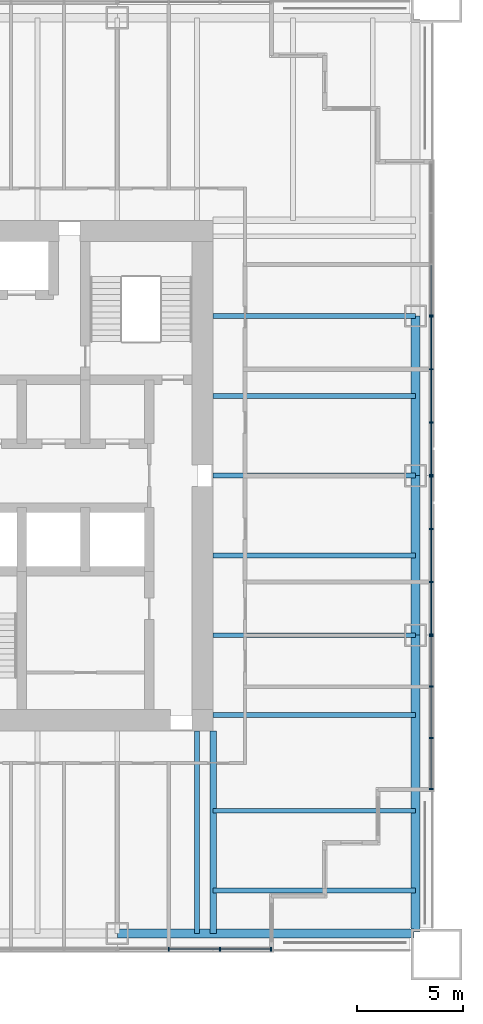
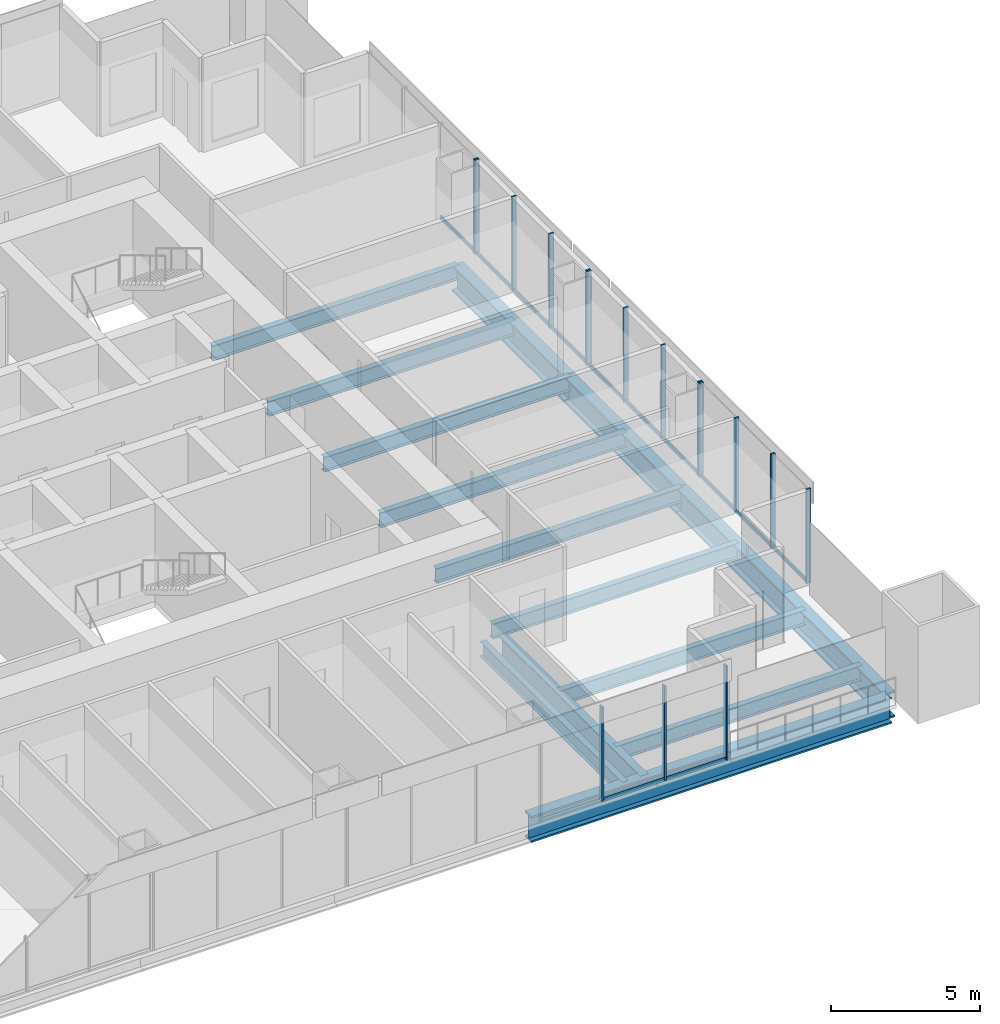
# One storey, part 4 of 14: 28 members, 14 beams, 5 elements without a shape of their own.
"""IFC4 building model written with IfcOpenShell, lengths in metres."""

import ifcopenshell
import ifcopenshell.guid

model = None  # the IFC model being written
_history = None  # IfcOwnerHistory: only IFC2X3 demands one
_inside = {}  # id of a spatial element -> (the spatial element, [elements in it])
_under = {}  # id of a project, library or spatial element -> (it, [spatial elements below it])
_declared = {}  # id of a project -> (the project, [libraries it declares])
_typed = {}  # id of a type object -> (the type object, [elements of that type])
_made_of = {}  # id of a material, layer set ... -> (it, [elements and type objects made of it])


def new_model(schema):
    """Start an empty IFC model of exactly this schema.

    Asked for "IFC4X3", IfcOpenShell would pick the latest addendum, in which some entities
    have other attributes; the version numbers below select the first issue.
    IFC2X3 requires an IfcOwnerHistory on every rooted entity: one is made here for all.
    """
    global model, _history
    if schema == "IFC4X3":
        model = ifcopenshell.file(schema_version=(4, 3, 0, 0))
    else:
        model = ifcopenshell.file(schema=schema)
    _inside.clear()
    _under.clear()
    _declared.clear()
    _typed.clear()
    _made_of.clear()
    _history = None
    if model.schema == "IFC2X3":
        org = make("IfcOrganization", Name="unknown")
        user = make(
            "IfcPersonAndOrganization",
            ThePerson=make("IfcPerson", FamilyName="unknown"),
            TheOrganization=org,
        )
        app = make(
            "IfcApplication",
            ApplicationDeveloper=org,
            Version="unknown",
            ApplicationFullName="unknown",
            ApplicationIdentifier="unknown",
        )
        _history = make(
            "IfcOwnerHistory",
            OwningUser=user,
            OwningApplication=app,
            ChangeAction="ADDED",
            CreationDate=0,
        )
    return model


def make(cls, **values):
    """One entity of the class cls with the attributes given. An attribute that is None is left unset."""
    return model.create_entity(
        cls, **{name: value for name, value in values.items() if value is not None}
    )


def rooted(cls, **values):
    """An entity with a GlobalId (a new one), such as an element, a storey or a relation."""
    return make(cls, GlobalId=ifcopenshell.guid.new(), OwnerHistory=_history, **values)


def si_unit(unit_type, name, prefix=None):
    """IfcSIUnit, for example si_unit("LENGTHUNIT", "METRE", prefix="MILLI")."""
    return make("IfcSIUnit", UnitType=unit_type, Prefix=prefix, Name=name)


def assignment(units):
    """IfcUnitAssignment: the units of a project."""
    return None if units is None else make("IfcUnitAssignment", Units=units)


def point(xyz):
    """IfcCartesianPoint."""
    return None if xyz is None else make("IfcCartesianPoint", Coordinates=xyz)


def direction(xyz):
    """IfcDirection."""
    return None if xyz is None else make("IfcDirection", DirectionRatios=xyz)


def frame(location, z_axis=None, x_axis=None):
    """IfcAxis2Placement3D, a coordinate frame: its origin and axes. An axis left out is left unset."""
    return make(
        "IfcAxis2Placement3D",
        Location=point(location),
        Axis=direction(z_axis),
        RefDirection=direction(x_axis),
    )


def frame_2d(location, x_axis=None):
    """IfcAxis2Placement2D, a coordinate frame in the plane: its origin and x axis."""
    return make(
        "IfcAxis2Placement2D", Location=point(location), RefDirection=direction(x_axis)
    )


def origin():
    """The frame at (0, 0, 0) with its axes left unset."""
    return frame((0.0, 0.0, 0.0))


def origin_2d():
    """The frame at (0, 0) in the plane with its x axis left unset."""
    return frame_2d((0.0, 0.0))


def place(relative_to, where):
    """IfcLocalPlacement: puts the frame where relative to a parent placement (None: the world)."""
    return make(
        "IfcLocalPlacement", PlacementRelTo=relative_to, RelativePlacement=where
    )


def context(
    kind, dimensions, precision=None, world=None, true_north=None, identifier=None
):
    """IfcGeometricRepresentationContext, for example the 3D "Model" context."""
    return make(
        "IfcGeometricRepresentationContext",
        ContextIdentifier=identifier,
        ContextType=kind,
        CoordinateSpaceDimension=dimensions,
        Precision=precision,
        WorldCoordinateSystem=world,
        TrueNorth=true_north,
    )


def subcontext(parent, identifier, kind, view, scale=None):
    """IfcGeometricRepresentationSubContext, for example "Body" below "Model"."""
    return make(
        "IfcGeometricRepresentationSubContext",
        ContextIdentifier=identifier,
        ContextType=kind,
        ParentContext=parent,
        TargetScale=scale,
        TargetView=view,
    )


def project(units=None, contexts=None):
    """IfcProject with its units and contexts."""
    return rooted(
        "IfcProject",
        Name="project",
        RepresentationContexts=contexts,
        UnitsInContext=assignment(units),
    )


def spatial(cls, under=None, at=None, **own):
    """A site, building, storey or space (cls), placed at a placement, below another one or the project."""
    s = rooted(cls, ObjectPlacement=at, **own)
    if under is not None:
        _under.setdefault(under.id(), (under, []))[1].append(s)
    return s


def profile(cls, at=None, kind="AREA", **sizes):
    """A parametric profile (cls). Its sizes go by their IFC names, for example OverallWidth=200.0."""
    return make(cls, ProfileType=kind, Position=at, **sizes)


def rectangle(**sizes):
    """IfcRectangleProfileDef."""
    return profile("IfcRectangleProfileDef", **sizes)


def i_section(**sizes):
    """IfcIShapeProfileDef."""
    return profile("IfcIShapeProfileDef", **sizes)


def extrude(swept, where, along, depth):
    """IfcExtrudedAreaSolid: the profile swept, set in the frame where, extruded along a direction by depth."""
    return make(
        "IfcExtrudedAreaSolid",
        SweptArea=swept,
        Position=where,
        ExtrudedDirection=direction(along),
        Depth=depth,
    )


def shape(context_of_items, identifier, shape_type, items):
    """IfcShapeRepresentation: the items that make up one representation, for example the "Body"."""
    return make(
        "IfcShapeRepresentation",
        ContextOfItems=context_of_items,
        RepresentationIdentifier=identifier,
        RepresentationType=shape_type,
        Items=items,
    )


def material(Name=None, Category=None):
    """IfcMaterial."""
    return make("IfcMaterial", Name=Name, Category=Category)


def material_profile(
    of_material, cross_section, Name=None, Category=None, Priority=None
):
    """IfcMaterialProfile: a cross section and its material."""
    return make(
        "IfcMaterialProfile",
        Name=Name,
        Material=of_material,
        Profile=cross_section,
        Priority=Priority,
        Category=Category,
    )


def profile_set(profiles, Name=None, composite=None):
    """IfcMaterialProfileSet."""
    return make(
        "IfcMaterialProfileSet",
        Name=Name,
        MaterialProfiles=profiles,
        CompositeProfile=composite,
    )


def made_of(thing, what):
    """Note that an element or type object is made of a material, layer set ...; save() writes the relation."""
    if what is not None:
        _made_of.setdefault(what.id(), (what, []))[1].append(thing)
    return thing


def type_object(cls, material=None, **own):
    """A type object (cls), such as IfcWallType, which elements share."""
    return made_of(rooted(cls, **own), material)


def element(
    cls,
    number,
    at=None,
    inside=None,
    cuts=None,
    type_object=None,
    material=None,
    context=None,
    identifier="Body",
    shape_type=None,
    held_by="IfcProductDefinitionShape",
    body=None,
    shapes=None,
    **own,
):
    """One element of the class cls, such as IfcWall. Its Tag is "e" and its number.

    at: its placement. inside: the storey or other place that contains it. cuts: it is an
    opening in that element (IfcRelVoidsElement). A single representation is given by context,
    identifier, shape_type and body (its items); several are given by shapes. held_by: the class
    of the entity that holds the representations. save() writes the other relations.
    """
    e = rooted(cls, Tag="e%d" % number, ObjectPlacement=at, **own)
    if body is not None:
        shapes = [shape(context, identifier, shape_type, body)]
    if shapes is not None:
        e.Representation = make(held_by, Representations=shapes)
    if inside is not None:
        _inside.setdefault(inside.id(), (inside, []))[1].append(e)
    if cuts is not None:
        rooted(
            "IfcRelVoidsElement", RelatingBuildingElement=cuts, RelatedOpeningElement=e
        )
    if type_object is not None:
        _typed.setdefault(type_object.id(), (type_object, []))[1].append(e)
    return made_of(e, material)


def aggregate(whole, parts):
    """IfcRelAggregates: a whole, such as a stair, and the parts it consists of."""
    return rooted("IfcRelAggregates", RelatingObject=whole, RelatedObjects=parts)


def save(model, path):
    """Write the relations noted so far, then the file.

    IfcRelAggregates (storeys below a building ...), IfcRelContainedInSpatialStructure (elements
    in a storey), IfcRelDefinesByType, IfcRelAssociatesMaterial and IfcRelDeclares: one each for
    every whole, place, type object, material and project.
    """
    for whole, parts in _under.values():
        aggregate(whole, parts)
    for where, things in _inside.values():
        rooted(
            "IfcRelContainedInSpatialStructure",
            RelatedElements=things,
            RelatingStructure=where,
        )
    for kind, things in _typed.values():
        rooted("IfcRelDefinesByType", RelatedObjects=things, RelatingType=kind)
    for what, things in _made_of.values():
        rooted("IfcRelAssociatesMaterial", RelatedObjects=things, RelatingMaterial=what)
    for by, libraries in _declared.values():
        rooted("IfcRelDeclares", RelatingContext=by, RelatedDefinitions=libraries)
    model.write(path)


model = new_model("IFC4")

# Units and contexts
model_context = context("Model", 3, precision=1e-05, world=origin(), true_north=direction((0.0, 1.0)))
body_context = subcontext(model_context, "Body", "Model", "MODEL_VIEW")
ifc_project = project(units=[si_unit("LENGTHUNIT", "METRE"), si_unit("AREAUNIT", "SQUARE_METRE"), si_unit("VOLUMEUNIT", "CUBIC_METRE"), si_unit("PLANEANGLEUNIT", "RADIAN"), si_unit("MASSUNIT", "GRAM", prefix="KILO")], contexts=[model_context])

# Site, building, storey
site_placement = place(None, origin())
site = spatial("IfcSite", under=ifc_project, at=site_placement, CompositionType="ELEMENT")
building_placement = place(site_placement, origin())
building = spatial("IfcBuilding", under=site, at=building_placement, Name="Tarangal Relay Tower", CompositionType="ELEMENT")
storey_placement = place(building_placement, frame((0.0, 0.0, 229.89990234375)))
storey = spatial("IfcBuildingStorey", under=building, at=storey_placement, Name="L49", CompositionType="ELEMENT", Elevation=229.89990234375)

# Beams
ifc_material_1 = material(Name="Steel ASTM A992", Category="steel")
ifc_material_profile_1 = material_profile(ifc_material_1, i_section(OverallWidth=0.227783203125, OverallDepth=0.60205078125, WebThickness=0.010498046875, FlangeThickness=0.014892578125, at=origin_2d()), Name="W24X68")
ifc_profile_set_1 = profile_set([ifc_material_profile_1], Name="Steel ASTM A992")
beam_type_1 = type_object("IfcBeamType", Name="Corner beam W24X68", PredefinedType="JOIST", material=ifc_profile_set_1)
for number, where, z_axis, x_axis, name in (
    (1, (12.0, -15.75, -0.450927734375), (1.0, 0.0, 0.0), (0.0, 1.0, 0.0), "Corner beam CB11 E L49"),
    (2, (12.0, -19.5, -0.450927734375), (1.0, 0.0, 0.0), (0.0, 1.0, 0.0), "Corner beam CB11 E L49"),
):
    element("IfcBeam", number, at=place(storey_placement, frame(where, z_axis=z_axis, x_axis=x_axis)), inside=storey, type_object=beam_type_1, Name=name, PredefinedType="JOIST", context=body_context, shape_type="SweptSolid", body=[
        extrude(i_section(OverallWidth=0.227783203125, OverallDepth=0.60205078125, WebThickness=0.010498046875, FlangeThickness=0.014892578125, at=origin_2d()), origin(), (0.0, 0.0, 1.0), 9.514892578125),
    ])
ifc_material_profile_2 = material_profile(ifc_material_1, i_section(OverallWidth=0.307373046875, OverallDepth=0.9423828125, WebThickness=0.022216796875, FlangeThickness=0.039794921875, at=origin_2d()), Name="W36X232")
ifc_profile_set_2 = profile_set([ifc_material_profile_2], Name="Steel ASTM A992")
beam_type_2 = type_object("IfcBeamType", Name="Corner girder W36X232", PredefinedType="BEAM", material=ifc_profile_set_2)
beam_placement = place(storey_placement, frame((12.0, -12.0, -0.62109375), z_axis=(0.0, -1.0, 0.0), x_axis=(1.0, 0.0, 0.0)))
element("IfcBeam", 3, at=beam_placement, inside=storey, type_object=beam_type_2, Name="Corner girder CG4 E L49", PredefinedType="BEAM", context=body_context, shape_type="SweptSolid", body=[
    extrude(i_section(OverallWidth=0.307373046875, OverallDepth=0.9423828125, WebThickness=0.022216796875, FlangeThickness=0.039794921875, at=origin_2d()), origin(), (0.0, 0.0, 1.0), 9.514892578125),
])
ifc_material_profile_3 = material_profile(ifc_material_1, i_section(OverallWidth=0.41650390625, OverallDepth=1.0693359375, WebThickness=0.0390625, FlangeThickness=0.070068359375, at=origin_2d()), Name="W40X503")
ifc_profile_set_3 = profile_set([ifc_material_profile_3], Name="Steel ASTM A992")
beam_type_3 = type_object("IfcBeamType", Name="Edge girder W40X503", PredefinedType="SPANDREL", material=ifc_profile_set_3)
for number, where, z_axis, x_axis, name in (
    (4, (21.514892578125, 7.5, -0.6845703125), (0.0, -1.0, 0.0), (1.0, 0.0, 0.0), "Edge girder EG8 E L49"),
    (5, (21.514892578125, 0.0, -0.6845703125), (0.0, -1.0, 0.0), (1.0, 0.0, 0.0), "Edge girder EG8 E L49"),
):
    element("IfcBeam", number, at=place(storey_placement, frame(where, z_axis=z_axis, x_axis=x_axis)), inside=storey, type_object=beam_type_3, Name=name, PredefinedType="SPANDREL", context=body_context, shape_type="SweptSolid", body=[
        extrude(i_section(OverallWidth=0.41650390625, OverallDepth=1.0693359375, WebThickness=0.0390625, FlangeThickness=0.070068359375, at=origin_2d()), origin(), (0.0, 0.0, 1.0), 7.5),
    ])
for number, where, z_axis, x_axis, name in (
    (6, (21.514892578125, -7.5, -0.6845703125), (0.0, -1.0, 0.0), (1.0, 0.0, 0.0), "Edge girder EG8 E L49"),
    (7, (21.449951171875, -21.514892578125, -0.6845703125), (-1.0, 0.0, 0.0), (0.0, -1.0, 0.0), "Edge girder EG8 S L49"),
):
    element("IfcBeam", number, at=place(storey_placement, frame(where, z_axis=z_axis, x_axis=x_axis)), inside=storey, type_object=beam_type_3, Name=name, PredefinedType="SPANDREL", context=body_context, shape_type="SweptSolid", body=[
        extrude(i_section(OverallWidth=0.41650390625, OverallDepth=1.0693359375, WebThickness=0.0390625, FlangeThickness=0.070068359375, at=origin_2d()), origin(), (0.0, 0.0, 1.0), 13.949951171875),
    ])
ifc_material_profile_4 = material_profile(ifc_material_1, i_section(OverallWidth=0.22900390625, OverallDepth=0.612060546875, WebThickness=0.011962890625, FlangeThickness=0.01953125, at=origin_2d()), Name="W24X84")
ifc_profile_set_4 = profile_set([ifc_material_profile_4], Name="Steel ASTM A992")
beam_type_4 = type_object("IfcBeamType", Name="Floor beam W24X84", PredefinedType="BEAM", material=ifc_profile_set_4)
for number, where, z_axis, x_axis, name in (
    (8, (12.0, 7.5, -0.455810546875), (1.0, 0.0, 0.0), (0.0, 1.0, 0.0), "Floor beam RB12 E L49"),
    (9, (12.0, 3.75, -0.455810546875), (1.0, 0.0, 0.0), (0.0, 1.0, 0.0), "Floor beam RB12 E L49"),
    (10, (12.0, 0.0, -0.455810546875), (1.0, 0.0, 0.0), (0.0, 1.0, 0.0), "Floor beam RB12 E L49"),
    (11, (12.0, -3.75, -0.455810546875), (1.0, 0.0, 0.0), (0.0, 1.0, 0.0), "Floor beam RB12 E L49"),
    (12, (12.0, -7.5, -0.455810546875), (1.0, 0.0, 0.0), (0.0, 1.0, 0.0), "Floor beam RB12 E L49"),
    (13, (12.0, -11.25, -0.455810546875), (1.0, 0.0, 0.0), (0.0, 1.0, 0.0), "Floor beam RB12 E L49"),
    (14, (11.25, -12.0, -0.455810546875), (0.0, -1.0, 0.0), (1.0, 0.0, 0.0), "Floor beam RB12 S L49"),
):
    element("IfcBeam", number, at=place(storey_placement, frame(where, z_axis=z_axis, x_axis=x_axis)), inside=storey, type_object=beam_type_4, Name=name, PredefinedType="BEAM", context=body_context, shape_type="SweptSolid", body=[
        extrude(i_section(OverallWidth=0.22900390625, OverallDepth=0.612060546875, WebThickness=0.011962890625, FlangeThickness=0.01953125, at=origin_2d()), origin(), (0.0, 0.0, 1.0), 9.514892578125),
    ])

# Curtain wall, member
ifc_material_2 = material(Name="Unitised curtain wall, dark glass and black aluminium", Category="aluminium")
curtain_wall_type_1 = type_object("IfcCurtainWallType", Name="Curtain wall CW-A", PredefinedType="USERDEFINED", material=ifc_material_2)
curtain_wall_1_placement = place(storey_placement, origin())
curtain_wall_1 = element("IfcCurtainWall", 15, at=curtain_wall_1_placement, inside=storey, type_object=curtain_wall_type_1, Name="Curtain wall CW-A E facade L49", ObjectType="UNITISED CURTAIN WALL", PredefinedType="USERDEFINED")
ifc_material_3 = material(Name="Black anodised aluminium mullion", Category="aluminium")
ifc_material_profile_5 = material_profile(ifc_material_3, rectangle(XDim=0.175048828125, YDim=0.06494140625, at=origin_2d()), Name="CW-AM 65X175")
ifc_profile_set_5 = profile_set([ifc_material_profile_5], Name="Black anodised aluminium mullion")
member_type_1 = type_object("IfcMemberType", Name="Mullion CW-A 65 x 175", PredefinedType="MULLION", material=ifc_profile_set_5)
member_1_placement = place(storey_placement, frame((22.25, 7.532470703125, 0.0), z_axis=(0.0, 0.0, 1.0), x_axis=(1.0, 0.0, 0.0)))
member_1 = element("IfcMember", 16, at=member_1_placement, type_object=member_type_1, Name="CW-A mullion 4", PredefinedType="MULLION", context=body_context, shape_type="SweptSolid", body=[
    extrude(rectangle(XDim=0.175048828125, YDim=0.06494140625, at=origin_2d()), origin(), (0.0, 0.0, 1.0), 3.85009765625),
])

# Curtain wall, members
curtain_wall_2_placement = place(storey_placement, origin())
curtain_wall_2 = element("IfcCurtainWall", 17, at=curtain_wall_2_placement, inside=storey, type_object=curtain_wall_type_1, Name="Curtain wall CW-A E facade L49", ObjectType="UNITISED CURTAIN WALL", PredefinedType="USERDEFINED")
member_2_placement = place(storey_placement, frame((22.25, -7.532470703125, 0.0), z_axis=(0.0, 0.0, 1.0), x_axis=(1.0, 0.0, 0.0)))
member_2 = element("IfcMember", 18, at=member_2_placement, type_object=member_type_1, Name="CW-A mullion 1", PredefinedType="MULLION", context=body_context, shape_type="SweptSolid", body=[
    extrude(rectangle(XDim=0.175048828125, YDim=0.06494140625, at=origin_2d()), origin(), (0.0, 0.0, 1.0), 3.85009765625),
])
member_3_placement = place(storey_placement, frame((22.25, -9.916748046875, 0.0), z_axis=(0.0, 0.0, 1.0), x_axis=(1.0, 0.0, 0.0)))
member_3 = element("IfcMember", 19, at=member_3_placement, type_object=member_type_1, Name="CW-A mullion 2", PredefinedType="MULLION", context=body_context, shape_type="SweptSolid", body=[
    extrude(rectangle(XDim=0.175048828125, YDim=0.06494140625, at=origin_2d()), origin(), (0.0, 0.0, 1.0), 3.85009765625),
])
member_4_placement = place(storey_placement, frame((22.25, -12.333251953125, 0.0), z_axis=(0.0, 0.0, 1.0), x_axis=(1.0, 0.0, 0.0)))
member_4 = element("IfcMember", 20, at=member_4_placement, type_object=member_type_1, Name="CW-A mullion 3", PredefinedType="MULLION", context=body_context, shape_type="SweptSolid", body=[
    extrude(rectangle(XDim=0.175048828125, YDim=0.06494140625, at=origin_2d()), origin(), (0.0, 0.0, 1.0), 3.85009765625),
])
member_5_placement = place(storey_placement, frame((22.25, -14.717529296875, 0.0), z_axis=(0.0, 0.0, 1.0), x_axis=(1.0, 0.0, 0.0)))
member_5 = element("IfcMember", 21, at=member_5_placement, type_object=member_type_1, Name="CW-A mullion 4", PredefinedType="MULLION", context=body_context, shape_type="SweptSolid", body=[
    extrude(rectangle(XDim=0.175048828125, YDim=0.06494140625, at=origin_2d()), origin(), (0.0, 0.0, 1.0), 3.85009765625),
])

curtain_wall_3_placement = place(storey_placement, origin())
curtain_wall_3 = element("IfcCurtainWall", 22, at=curtain_wall_3_placement, inside=storey, type_object=curtain_wall_type_1, Name="Curtain wall CW-A S facade L49", ObjectType="UNITISED CURTAIN WALL", PredefinedType="USERDEFINED")
member_6_placement = place(storey_placement, frame((14.717529296875, -22.25, 0.0), z_axis=(0.0, 0.0, 1.0), x_axis=(0.0, -1.0, 0.0)))
member_6 = element("IfcMember", 23, at=member_6_placement, type_object=member_type_1, Name="CW-A mullion 1", PredefinedType="MULLION", context=body_context, shape_type="SweptSolid", body=[
    extrude(rectangle(XDim=0.175048828125, YDim=0.06494140625, at=origin_2d()), origin(), (0.0, 0.0, 1.0), 3.85009765625),
])
member_7_placement = place(storey_placement, frame((12.333251953125, -22.25, 0.0), z_axis=(0.0, 0.0, 1.0), x_axis=(0.0, -1.0, 0.0)))
member_7 = element("IfcMember", 24, at=member_7_placement, type_object=member_type_1, Name="CW-A mullion 2", PredefinedType="MULLION", context=body_context, shape_type="SweptSolid", body=[
    extrude(rectangle(XDim=0.175048828125, YDim=0.06494140625, at=origin_2d()), origin(), (0.0, 0.0, 1.0), 3.85009765625),
])
member_8_placement = place(storey_placement, frame((9.916748046875, -22.25, 0.0), z_axis=(0.0, 0.0, 1.0), x_axis=(0.0, -1.0, 0.0)))
member_8 = element("IfcMember", 25, at=member_8_placement, type_object=member_type_1, Name="CW-A mullion 3", PredefinedType="MULLION", context=body_context, shape_type="SweptSolid", body=[
    extrude(rectangle(XDim=0.175048828125, YDim=0.06494140625, at=origin_2d()), origin(), (0.0, 0.0, 1.0), 3.85009765625),
])

ifc_material_4 = material(Name="Unitised curtain wall frame, black aluminium, with metal clad infill walls", Category="aluminium")
curtain_wall_type_2 = type_object("IfcCurtainWallType", Name="Curtain wall CW-AO", PredefinedType="USERDEFINED", material=ifc_material_4)
curtain_wall_4_placement = place(storey_placement, origin())
curtain_wall_4 = element("IfcCurtainWall", 26, at=curtain_wall_4_placement, inside=storey, type_object=curtain_wall_type_2, Name="Curtain wall CW-AO E facade L49", ObjectType="UNITISED CURTAIN WALL", PredefinedType="USERDEFINED")
ifc_material_profile_6 = material_profile(ifc_material_3, rectangle(XDim=0.175048828125, YDim=0.06494140625, at=origin_2d()), Name="CW-AOM 65X175")
ifc_profile_set_6 = profile_set([ifc_material_profile_6], Name="Black anodised aluminium mullion")
member_type_2 = type_object("IfcMemberType", Name="Mullion CW-AO 65 x 175", PredefinedType="MULLION", material=ifc_profile_set_6)
member_9_placement = place(storey_placement, frame((22.25, 7.467529296875, 0.0), z_axis=(0.0, 0.0, 1.0), x_axis=(1.0, 0.0, 0.0)))
member_9 = element("IfcMember", 27, at=member_9_placement, type_object=member_type_2, Name="CW-AO mullion 1", PredefinedType="MULLION", context=body_context, shape_type="SweptSolid", body=[
    extrude(rectangle(XDim=0.175048828125, YDim=0.06494140625, at=origin_2d()), origin(), (0.0, 0.0, 1.0), 3.85009765625),
])
member_10_placement = place(storey_placement, frame((22.25, 5.0, 0.0), z_axis=(0.0, 0.0, 1.0), x_axis=(1.0, 0.0, 0.0)))
member_10 = element("IfcMember", 28, at=member_10_placement, type_object=member_type_2, Name="CW-AO mullion 2", PredefinedType="MULLION", context=body_context, shape_type="SweptSolid", body=[
    extrude(rectangle(XDim=0.175048828125, YDim=0.06494140625, at=origin_2d()), origin(), (0.0, 0.0, 1.0), 3.85009765625),
])
member_11_placement = place(storey_placement, frame((22.25, 2.5, 0.0), z_axis=(0.0, 0.0, 1.0), x_axis=(1.0, 0.0, 0.0)))
member_11 = element("IfcMember", 29, at=member_11_placement, type_object=member_type_2, Name="CW-AO mullion 3", PredefinedType="MULLION", context=body_context, shape_type="SweptSolid", body=[
    extrude(rectangle(XDim=0.175048828125, YDim=0.06494140625, at=origin_2d()), origin(), (0.0, 0.0, 1.0), 3.85009765625),
])
member_12_placement = place(storey_placement, frame((22.25, 0.032470703125, 0.0), z_axis=(0.0, 0.0, 1.0), x_axis=(1.0, 0.0, 0.0)))
member_12 = element("IfcMember", 30, at=member_12_placement, type_object=member_type_2, Name="CW-AO mullion 4", PredefinedType="MULLION", context=body_context, shape_type="SweptSolid", body=[
    extrude(rectangle(XDim=0.175048828125, YDim=0.06494140625, at=origin_2d()), origin(), (0.0, 0.0, 1.0), 3.85009765625),
])

curtain_wall_5_placement = place(storey_placement, origin())
curtain_wall_5 = element("IfcCurtainWall", 31, at=curtain_wall_5_placement, inside=storey, type_object=curtain_wall_type_2, Name="Curtain wall CW-AO E facade L49", ObjectType="UNITISED CURTAIN WALL", PredefinedType="USERDEFINED")
member_13_placement = place(storey_placement, frame((22.25, -0.032470703125, 0.0), z_axis=(0.0, 0.0, 1.0), x_axis=(1.0, 0.0, 0.0)))
member_13 = element("IfcMember", 32, at=member_13_placement, type_object=member_type_2, Name="CW-AO mullion 1", PredefinedType="MULLION", context=body_context, shape_type="SweptSolid", body=[
    extrude(rectangle(XDim=0.175048828125, YDim=0.06494140625, at=origin_2d()), origin(), (0.0, 0.0, 1.0), 3.85009765625),
])
member_14_placement = place(storey_placement, frame((22.25, -2.5, 0.0), z_axis=(0.0, 0.0, 1.0), x_axis=(1.0, 0.0, 0.0)))
member_14 = element("IfcMember", 33, at=member_14_placement, type_object=member_type_2, Name="CW-AO mullion 2", PredefinedType="MULLION", context=body_context, shape_type="SweptSolid", body=[
    extrude(rectangle(XDim=0.175048828125, YDim=0.06494140625, at=origin_2d()), origin(), (0.0, 0.0, 1.0), 3.85009765625),
])
member_15_placement = place(storey_placement, frame((22.25, -5.0, 0.0), z_axis=(0.0, 0.0, 1.0), x_axis=(1.0, 0.0, 0.0)))
member_15 = element("IfcMember", 34, at=member_15_placement, type_object=member_type_2, Name="CW-AO mullion 3", PredefinedType="MULLION", context=body_context, shape_type="SweptSolid", body=[
    extrude(rectangle(XDim=0.175048828125, YDim=0.06494140625, at=origin_2d()), origin(), (0.0, 0.0, 1.0), 3.85009765625),
])
member_16_placement = place(storey_placement, frame((22.25, -7.467529296875, 0.0), z_axis=(0.0, 0.0, 1.0), x_axis=(1.0, 0.0, 0.0)))
member_16 = element("IfcMember", 35, at=member_16_placement, type_object=member_type_2, Name="CW-AO mullion 4", PredefinedType="MULLION", context=body_context, shape_type="SweptSolid", body=[
    extrude(rectangle(XDim=0.175048828125, YDim=0.06494140625, at=origin_2d()), origin(), (0.0, 0.0, 1.0), 3.85009765625),
])

# Member
ifc_material_5 = material(Name="Black anodised aluminium transom", Category="aluminium")
ifc_material_profile_7 = material_profile(ifc_material_5, rectangle(XDim=0.06494140625, YDim=0.14990234375, at=origin_2d()), Name="CW-AT 65X150")
ifc_profile_set_7 = profile_set([ifc_material_profile_7], Name="Black anodised aluminium transom")
member_type_3 = type_object("IfcMemberType", Name="Transom CW-A 65 x 150", PredefinedType="USERDEFINED", material=ifc_profile_set_7)
member_17_placement = place(storey_placement, frame((22.25, 9.88427734375, 0.03271484375), z_axis=(0.0, -1.0, 0.0), x_axis=(1.0, 0.0, 0.0)))
member_17 = element("IfcMember", 36, at=member_17_placement, type_object=member_type_3, Name="CW-A transom 3.1", ObjectType="TRANSOM", PredefinedType="USERDEFINED", context=body_context, shape_type="SweptSolid", body=[
    extrude(rectangle(XDim=0.06494140625, YDim=0.14990234375, at=origin_2d()), origin(), (0.0, 0.0, 1.0), 2.3193359375),
])

aggregate(curtain_wall_1, [member_1, member_17])

member_18_placement = place(storey_placement, frame((22.25, -7.56494140625, 0.03271484375), z_axis=(0.0, -1.0, 0.0), x_axis=(1.0, 0.0, 0.0)))
member_18 = element("IfcMember", 37, at=member_18_placement, type_object=member_type_3, Name="CW-A transom 1.1", ObjectType="TRANSOM", PredefinedType="USERDEFINED", context=body_context, shape_type="SweptSolid", body=[
    extrude(rectangle(XDim=0.06494140625, YDim=0.14990234375, at=origin_2d()), origin(), (0.0, 0.0, 1.0), 2.3193359375),
])

member_19_placement = place(storey_placement, frame((22.25, -9.94921875, 0.03271484375), z_axis=(0.0, -1.0, 0.0), x_axis=(1.0, 0.0, 0.0)))
member_19 = element("IfcMember", 38, at=member_19_placement, type_object=member_type_3, Name="CW-A transom 2.1", ObjectType="TRANSOM", PredefinedType="USERDEFINED", context=body_context, shape_type="SweptSolid", body=[
    extrude(rectangle(XDim=0.06494140625, YDim=0.14990234375, at=origin_2d()), origin(), (0.0, 0.0, 1.0), 2.3515625),
])

member_20_placement = place(storey_placement, frame((22.25, -12.36572265625, 0.03271484375), z_axis=(0.0, -1.0, 0.0), x_axis=(1.0, 0.0, 0.0)))
member_20 = element("IfcMember", 39, at=member_20_placement, type_object=member_type_3, Name="CW-A transom 3.1", ObjectType="TRANSOM", PredefinedType="USERDEFINED", context=body_context, shape_type="SweptSolid", body=[
    extrude(rectangle(XDim=0.06494140625, YDim=0.14990234375, at=origin_2d()), origin(), (0.0, 0.0, 1.0), 2.3193359375),
])

aggregate(curtain_wall_2, [member_2, member_3, member_4, member_5, member_18, member_19, member_20])

member_21_placement = place(storey_placement, frame((14.68505859375, -22.25, 0.03271484375), z_axis=(-1.0, 0.0, 0.0), x_axis=(0.0, -1.0, 0.0)))
member_21 = element("IfcMember", 40, at=member_21_placement, type_object=member_type_3, Name="CW-A transom 1.1", ObjectType="TRANSOM", PredefinedType="USERDEFINED", context=body_context, shape_type="SweptSolid", body=[
    extrude(rectangle(XDim=0.06494140625, YDim=0.14990234375, at=origin_2d()), origin(), (0.0, 0.0, 1.0), 2.3193359375),
])

member_22_placement = place(storey_placement, frame((12.30078125, -22.25, 0.03271484375), z_axis=(-1.0, 0.0, 0.0), x_axis=(0.0, -1.0, 0.0)))
member_22 = element("IfcMember", 41, at=member_22_placement, type_object=member_type_3, Name="CW-A transom 2.1", ObjectType="TRANSOM", PredefinedType="USERDEFINED", context=body_context, shape_type="SweptSolid", body=[
    extrude(rectangle(XDim=0.06494140625, YDim=0.14990234375, at=origin_2d()), origin(), (0.0, 0.0, 1.0), 2.3515625),
])

aggregate(curtain_wall_3, [member_6, member_7, member_8, member_21, member_22])

ifc_material_profile_8 = material_profile(ifc_material_5, rectangle(XDim=0.06494140625, YDim=0.14990234375, at=origin_2d()), Name="CW-AOT 65X150")
ifc_profile_set_8 = profile_set([ifc_material_profile_8], Name="Black anodised aluminium transom")
member_type_4 = type_object("IfcMemberType", Name="Transom CW-AO 65 x 150", PredefinedType="USERDEFINED", material=ifc_profile_set_8)
member_23_placement = place(storey_placement, frame((22.25, 7.43505859375, 0.03271484375), z_axis=(0.0, -1.0, 0.0), x_axis=(1.0, 0.0, 0.0)))
member_23 = element("IfcMember", 42, at=member_23_placement, type_object=member_type_4, Name="CW-AO transom 1.1", ObjectType="TRANSOM", PredefinedType="USERDEFINED", context=body_context, shape_type="SweptSolid", body=[
    extrude(rectangle(XDim=0.06494140625, YDim=0.14990234375, at=origin_2d()), origin(), (0.0, 0.0, 1.0), 2.402587890625),
])

member_24_placement = place(storey_placement, frame((22.25, 4.967529296875, 0.03271484375), z_axis=(0.0, -1.0, 0.0), x_axis=(1.0, 0.0, 0.0)))
member_24 = element("IfcMember", 43, at=member_24_placement, type_object=member_type_4, Name="CW-AO transom 2.1", ObjectType="TRANSOM", PredefinedType="USERDEFINED", context=body_context, shape_type="SweptSolid", body=[
    extrude(rectangle(XDim=0.06494140625, YDim=0.14990234375, at=origin_2d()), origin(), (0.0, 0.0, 1.0), 2.43505859375),
])

member_25_placement = place(storey_placement, frame((22.25, 2.467529296875, 0.03271484375), z_axis=(0.0, -1.0, 0.0), x_axis=(1.0, 0.0, 0.0)))
member_25 = element("IfcMember", 44, at=member_25_placement, type_object=member_type_4, Name="CW-AO transom 3.1", ObjectType="TRANSOM", PredefinedType="USERDEFINED", context=body_context, shape_type="SweptSolid", body=[
    extrude(rectangle(XDim=0.06494140625, YDim=0.14990234375, at=origin_2d()), origin(), (0.0, 0.0, 1.0), 2.402587890625),
])

aggregate(curtain_wall_4, [member_9, member_10, member_11, member_12, member_23, member_24, member_25])

member_26_placement = place(storey_placement, frame((22.25, -0.06494140625, 0.03271484375), z_axis=(0.0, -1.0, 0.0), x_axis=(1.0, 0.0, 0.0)))
member_26 = element("IfcMember", 45, at=member_26_placement, type_object=member_type_4, Name="CW-AO transom 1.1", ObjectType="TRANSOM", PredefinedType="USERDEFINED", context=body_context, shape_type="SweptSolid", body=[
    extrude(rectangle(XDim=0.06494140625, YDim=0.14990234375, at=origin_2d()), origin(), (0.0, 0.0, 1.0), 2.402587890625),
])

member_27_placement = place(storey_placement, frame((22.25, -2.532470703125, 0.03271484375), z_axis=(0.0, -1.0, 0.0), x_axis=(1.0, 0.0, 0.0)))
member_27 = element("IfcMember", 46, at=member_27_placement, type_object=member_type_4, Name="CW-AO transom 2.1", ObjectType="TRANSOM", PredefinedType="USERDEFINED", context=body_context, shape_type="SweptSolid", body=[
    extrude(rectangle(XDim=0.06494140625, YDim=0.14990234375, at=origin_2d()), origin(), (0.0, 0.0, 1.0), 2.43505859375),
])

member_28_placement = place(storey_placement, frame((22.25, -5.032470703125, 0.03271484375), z_axis=(0.0, -1.0, 0.0), x_axis=(1.0, 0.0, 0.0)))
member_28 = element("IfcMember", 47, at=member_28_placement, type_object=member_type_4, Name="CW-AO transom 3.1", ObjectType="TRANSOM", PredefinedType="USERDEFINED", context=body_context, shape_type="SweptSolid", body=[
    extrude(rectangle(XDim=0.06494140625, YDim=0.14990234375, at=origin_2d()), origin(), (0.0, 0.0, 1.0), 2.402587890625),
])

aggregate(curtain_wall_5, [member_13, member_14, member_15, member_16, member_26, member_27, member_28])

save(model, "model.ifc")
